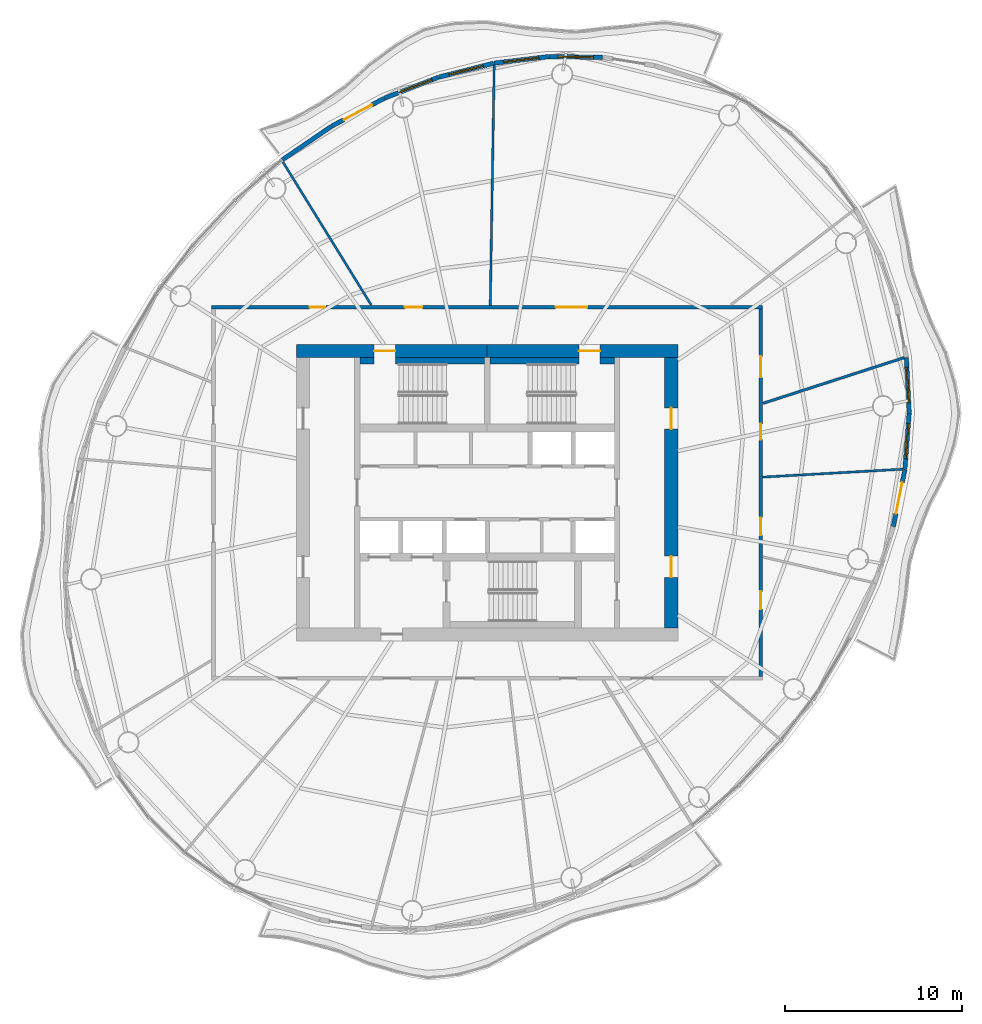
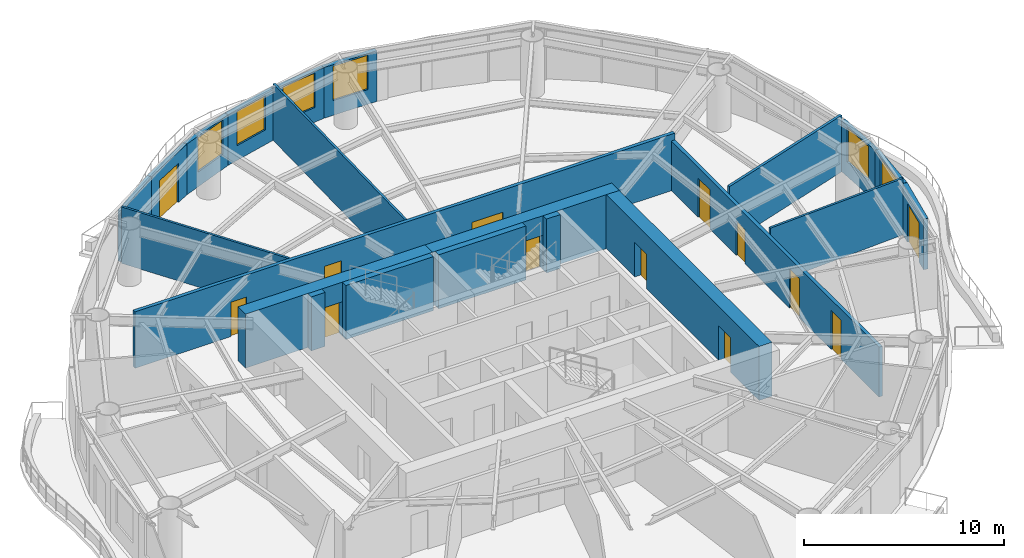
# One storey, part 10 of 14: 22 walls, 13 doors, 6 windows, 19 openings.
"""IFC4 building model written with IfcOpenShell, lengths in metres."""

from ifc_helpers import new_model, si_unit, direction, frame, frame_2d, origin, place, context, subcontext, project, spatial, rectangle, extrude, material, layer, layer_set, type_object, element, fill, save


model = new_model("IFC4")

# Units and contexts
model_context = context("Model", 3, precision=1e-05, world=origin(), true_north=direction((0.0, 1.0)))
body_context = subcontext(model_context, "Body", "Model", "MODEL_VIEW")
ifc_project = project(units=[si_unit("LENGTHUNIT", "METRE"), si_unit("AREAUNIT", "SQUARE_METRE"), si_unit("VOLUMEUNIT", "CUBIC_METRE"), si_unit("PLANEANGLEUNIT", "RADIAN"), si_unit("MASSUNIT", "GRAM", prefix="KILO")], contexts=[model_context])

# Site, building, storey
site_placement = place(None, origin())
site = spatial("IfcSite", under=ifc_project, at=site_placement, CompositionType="ELEMENT")
building_placement = place(site_placement, origin())
building = spatial("IfcBuilding", under=site, at=building_placement, Name="Vermilion Reach Broadcast Tower", CompositionType="ELEMENT")
storey_placement = place(building_placement, frame((0.0, 0.0, 231.699951171875)))
storey = spatial("IfcBuildingStorey", under=building, at=storey_placement, Name="L57", CompositionType="ELEMENT", Elevation=231.699951171875)

# Wall, opening, door
ifc_material_1 = material(Name="Concrete C60", Category="concrete")
ifc_layer_1 = layer(ifc_material_1, 0.75)
ifc_layer_set_1 = layer_set([ifc_layer_1], Name="Core outer wall 750 mm Concrete C60")
wall_type_1 = type_object("IfcWallType", Name="Core outer wall 750 mm Concrete C60", PredefinedType="SHEAR", material=ifc_layer_set_1)
wall_1_placement = place(storey_placement, frame((4.800048828125, 8.02490234375, 0.0), z_axis=(0.0, 0.0, 1.0), x_axis=(-1.0, 0.0, 0.0)))
wall_1 = element("IfcWall", 1, at=wall_1_placement, inside=storey, type_object=wall_type_1, Name="L57 core wall onE", PredefinedType="SHEAR", context=body_context, shape_type="SweptSolid", body=[
    extrude(rectangle(XDim=10.800048828125, YDim=0.75, at=frame_2d((5.39990234375, 0.0))), origin(), (0.0, 0.0, 1.0), 3.300048828125),
])
opening_1_placement = place(wall_1_placement, frame((4.39990234375, 0.0, 0.0)))
opening_1 = element("IfcOpeningElement", 2, at=opening_1_placement, cuts=wall_1, Name="Opening D01", PredefinedType="OPENING", context=body_context, shape_type="SweptSolid", body=[
    extrude(rectangle(XDim=1.199951171875, YDim=2.10009765625, at=frame_2d((0.60009765625, 1.050048828125))), frame((0.0, 0.385009765625, 0.0), z_axis=(0.0, -1.0, 0.0), x_axis=(1.0, 0.0, 0.0)), (0.0, 0.0, 1.0), 0.77001953125),
])
ifc_material_2 = material(Name="Painted steel fire door", Category="steel")
door_type_1 = type_object("IfcDoorType", Name="Stair door 1200 x 2100", OperationType="DOUBLE_DOOR_SINGLE_SWING", PredefinedType="NOTDEFINED", material=ifc_material_2)
door_1_placement = place(opening_1_placement, origin())
door_1 = element("IfcDoor", 3, at=door_1_placement, inside=storey, type_object=door_type_1, Name="L57 stair door ST2", OperationType="DOUBLE_DOOR_SINGLE_SWING", OverallHeight=2.10009765625, OverallWidth=1.199951171875, PredefinedType="NOTDEFINED", context=body_context, shape_type="SweptSolid", body=[
    extrude(rectangle(XDim=1.199951171875, YDim=2.10009765625, at=frame_2d((0.60009765625, 1.050048828125))), frame((0.0, 0.02490234375, 0.0), z_axis=(0.0, -1.0, 0.0), x_axis=(1.0, 0.0, 0.0)), (0.0, 0.0, 1.0), 0.050048828125),
])
fill(opening_1, door_1)

wall_2_placement = place(storey_placement, frame((-6.0, 8.02490234375, 0.0), z_axis=(0.0, 0.0, 1.0), x_axis=(-1.0, 0.0, 0.0)))
wall_2 = element("IfcWall", 4, at=wall_2_placement, inside=storey, type_object=wall_type_1, Name="L57 core wall onW", PredefinedType="SHEAR", context=body_context, shape_type="SweptSolid", body=[
    extrude(rectangle(XDim=10.800048828125, YDim=0.75, at=frame_2d((5.39990234375, 0.0))), origin(), (0.0, 0.0, 1.0), 3.300048828125),
])
opening_2_placement = place(wall_2_placement, frame((5.199951171875, 0.0, 0.0)))
opening_2 = element("IfcOpeningElement", 5, at=opening_2_placement, cuts=wall_2, Name="Opening D01", PredefinedType="OPENING", context=body_context, shape_type="SweptSolid", body=[
    extrude(rectangle(XDim=1.199951171875, YDim=2.10009765625, at=frame_2d((0.60009765625, 1.050048828125))), frame((0.0, 0.385009765625, 0.0), z_axis=(0.0, -1.0, 0.0), x_axis=(1.0, 0.0, 0.0)), (0.0, 0.0, 1.0), 0.77001953125),
])
door_2_placement = place(opening_2_placement, origin())
door_2 = element("IfcDoor", 6, at=door_2_placement, inside=storey, type_object=door_type_1, Name="L57 stair door ST1", OperationType="DOUBLE_DOOR_SINGLE_SWING", OverallHeight=2.10009765625, OverallWidth=1.199951171875, PredefinedType="NOTDEFINED", context=body_context, shape_type="SweptSolid", body=[
    extrude(rectangle(XDim=1.199951171875, YDim=2.10009765625, at=frame_2d((0.60009765625, 1.050048828125))), frame((0.0, 0.02490234375, 0.0), z_axis=(0.0, -1.0, 0.0), x_axis=(1.0, 0.0, 0.0)), (0.0, 0.0, 1.0), 0.050048828125),
])
fill(opening_2, door_2)

# Wall, openings, doors
wall_3_placement = place(storey_placement, frame((4.425048828125, -7.64990234375, 0.0), z_axis=(0.0, 0.0, 1.0), x_axis=(0.0, 1.0, 0.0)))
wall_3 = element("IfcWall", 7, at=wall_3_placement, inside=storey, type_object=wall_type_1, Name="L57 core wall oe", PredefinedType="SHEAR", context=body_context, shape_type="SweptSolid", body=[
    extrude(rectangle(XDim=15.2998046875, YDim=0.75, at=frame_2d((7.64990234375, 0.0))), origin(), (0.0, 0.0, 1.0), 3.300048828125),
])
opening_3_placement = place(wall_3_placement, frame((2.85009765625, 0.0, 0.0)))
opening_3 = element("IfcOpeningElement", 8, at=opening_3_placement, cuts=wall_3, Name="Opening D03", PredefinedType="OPENING", context=body_context, shape_type="SweptSolid", body=[
    extrude(rectangle(XDim=1.199951171875, YDim=2.10009765625, at=frame_2d((0.60009765625, 1.050048828125))), frame((0.0, 0.385009765625, 0.0), z_axis=(0.0, -1.0, 0.0), x_axis=(1.0, 0.0, 0.0)), (0.0, 0.0, 1.0), 0.77001953125),
])
opening_4_placement = place(wall_3_placement, frame((11.25, 0.0, 0.0)))
opening_4 = element("IfcOpeningElement", 9, at=opening_4_placement, cuts=wall_3, Name="Opening D03", PredefinedType="OPENING", context=body_context, shape_type="SweptSolid", body=[
    extrude(rectangle(XDim=1.199951171875, YDim=2.10009765625, at=frame_2d((0.60009765625, 1.050048828125))), frame((0.0, 0.385009765625, 0.0), z_axis=(0.0, -1.0, 0.0), x_axis=(1.0, 0.0, 0.0)), (0.0, 0.0, 1.0), 0.77001953125),
])
ifc_material_3 = material(Name="Painted steel fire door", Category="steel")
door_type_2 = type_object("IfcDoorType", Name="Core lobby door 1200 x 2100", OperationType="DOUBLE_DOOR_SINGLE_SWING", PredefinedType="NOTDEFINED", material=ifc_material_3)
door_3_placement = place(opening_3_placement, origin())
door_3 = element("IfcDoor", 10, at=door_3_placement, inside=storey, type_object=door_type_2, Name="L57 slot door E0", OperationType="DOUBLE_DOOR_SINGLE_SWING", OverallHeight=2.10009765625, OverallWidth=1.199951171875, PredefinedType="NOTDEFINED", context=body_context, shape_type="SweptSolid", body=[
    extrude(rectangle(XDim=1.199951171875, YDim=2.10009765625, at=frame_2d((0.60009765625, 1.050048828125))), frame((0.0, 0.02490234375, 0.0), z_axis=(0.0, -1.0, 0.0), x_axis=(1.0, 0.0, 0.0)), (0.0, 0.0, 1.0), 0.050048828125),
])
fill(opening_3, door_3)
door_4_placement = place(opening_4_placement, origin())
door_4 = element("IfcDoor", 11, at=door_4_placement, inside=storey, type_object=door_type_2, Name="L57 slot door E1", OperationType="DOUBLE_DOOR_SINGLE_SWING", OverallHeight=2.10009765625, OverallWidth=1.199951171875, PredefinedType="NOTDEFINED", context=body_context, shape_type="SweptSolid", body=[
    extrude(rectangle(XDim=1.199951171875, YDim=2.10009765625, at=frame_2d((0.60009765625, 1.050048828125))), frame((0.0, 0.02490234375, 0.0), z_axis=(0.0, -1.0, 0.0), x_axis=(1.0, 0.0, 0.0)), (0.0, 0.0, 1.0), 0.050048828125),
])
fill(opening_4, door_4)

# Walls
ifc_material_4 = material(Name="Concrete C60", Category="concrete")
ifc_layer_2 = layer(ifc_material_4, 0.35009765625)
ifc_layer_set_2 = layer_set([ifc_layer_2], Name="Core stair wall 350 mm Concrete C60")
wall_type_2 = type_object("IfcWallType", Name="Core stair wall 350 mm Concrete C60", PredefinedType="SHEAR", material=ifc_layer_set_2)
wall_4_placement = place(storey_placement, frame((-13.199951171875, 7.47509765625, 0.0), z_axis=(0.0, 0.0, 1.0), x_axis=(1.0, 0.0, 0.0)))
element("IfcWall", 12, at=wall_4_placement, inside=storey, type_object=wall_type_2, Name="L57 core wall l1a", PredefinedType="SHEAR", context=body_context, shape_type="SweptSolid", body=[
    extrude(rectangle(XDim=0.800048828125, YDim=0.35009765625, at=frame_2d((0.39990234375, 0.0))), origin(), (0.0, 0.0, 1.0), 3.300048828125),
])
for number, where, z_axis, x_axis, name in (
    (13, (-11.199951171875, 7.47509765625, 0.0), (0.0, 0.0, 1.0), (1.0, 0.0, 0.0), "L57 core wall l1b"),
    (14, (-5.85009765625, 7.47509765625, 0.0), (0.0, 0.0, 1.0), (1.0, 0.0, 0.0), "L57 core wall l2a"),
):
    element("IfcWall", number, at=place(storey_placement, frame(where, z_axis=z_axis, x_axis=x_axis)), inside=storey, type_object=wall_type_2, Name=name, PredefinedType="SHEAR", context=body_context, shape_type="SweptSolid", body=[
        extrude(rectangle(XDim=5.050048828125, YDim=0.35009765625, at=frame_2d((2.52490234375, 0.0))), origin(), (0.0, 0.0, 1.0), 3.300048828125),
    ])
wall_5_placement = place(storey_placement, frame((0.39990234375, 7.47509765625, 0.0), z_axis=(0.0, 0.0, 1.0), x_axis=(1.0, 0.0, 0.0)))
element("IfcWall", 15, at=wall_5_placement, inside=storey, type_object=wall_type_2, Name="L57 core wall l2b", PredefinedType="SHEAR", context=body_context, shape_type="SweptSolid", body=[
    extrude(rectangle(XDim=0.800048828125, YDim=0.35009765625, at=frame_2d((0.39990234375, 0.0))), origin(), (0.0, 0.0, 1.0), 3.300048828125),
])

# Wall, openings, doors
ifc_material_5 = material(Name="Fire-rated gypsum board partition")
ifc_layer_3 = layer(ifc_material_5, 0.199951171875)
ifc_layer_set_3 = layer_set([ifc_layer_3], Name="Corridor wall 200 fire-rated")
wall_type_3 = type_object("IfcWallType", Name="Corridor wall 200 fire-rated", PredefinedType="PARTITIONING", material=ifc_layer_set_3)
wall_6_placement = place(storey_placement, frame((-21.60009765625, 10.5, 0.0), z_axis=(0.0, 0.0, 1.0), x_axis=(1.0, 0.0, 0.0)))
wall_6 = element("IfcWall", 16, at=wall_6_placement, inside=storey, type_object=wall_type_3, Name="Corridor wall 57.N", PredefinedType="PARTITIONING", context=body_context, shape_type="SweptSolid", body=[
    extrude(rectangle(XDim=31.2001953125, YDim=0.199951171875, at=frame_2d((15.60009765625, 0.0))), origin(), (0.0, 0.0, 1.0), 3.449951171875),
])
opening_5_placement = place(wall_6_placement, frame((10.934326171875, 0.0, 0.0)))
opening_5 = element("IfcOpeningElement", 17, at=opening_5_placement, cuts=wall_6, Name="Opening D23", PredefinedType="OPENING", context=body_context, shape_type="SweptSolid", body=[
    extrude(rectangle(XDim=1.0, YDim=2.39990234375, at=frame_2d((0.5, 1.199951171875))), frame((0.0, 0.10986328125, 0.0), z_axis=(0.0, -1.0, 0.0), x_axis=(1.0, 0.0, 0.0)), (0.0, 0.0, 1.0), 0.219970703125),
])
opening_6_placement = place(wall_6_placement, frame((5.5419921875, 0.0, 0.0)))
opening_6 = element("IfcOpeningElement", 18, at=opening_6_placement, cuts=wall_6, Name="Opening D22", PredefinedType="OPENING", context=body_context, shape_type="SweptSolid", body=[
    extrude(rectangle(XDim=0.89990234375, YDim=2.10009765625, at=frame_2d((0.449951171875, 1.050048828125))), frame((0.0, 0.10986328125, 0.0), z_axis=(0.0, -1.0, 0.0), x_axis=(1.0, 0.0, 0.0)), (0.0, 0.0, 1.0), 0.219970703125),
])
opening_7_placement = place(wall_6_placement, frame((19.472412109375, 0.0, 0.0)))
opening_7 = element("IfcOpeningElement", 19, at=opening_7_placement, cuts=wall_6, Name="Opening D21", PredefinedType="OPENING", context=body_context, shape_type="SweptSolid", body=[
    extrude(rectangle(XDim=1.800048828125, YDim=2.10009765625, at=frame_2d((0.89990234375, 1.050048828125))), frame((0.0, 0.10986328125, 0.0), z_axis=(0.0, -1.0, 0.0), x_axis=(1.0, 0.0, 0.0)), (0.0, 0.0, 1.0), 0.219970703125),
])
ifc_material_6 = material(Name="Timber door leaf", Category="wood")
door_type_3 = type_object("IfcDoorType", Name="Door pair 1800x2100", OperationType="NOTDEFINED", PredefinedType="DOOR", material=ifc_material_6)
door_5_placement = place(opening_7_placement, origin())
door_5 = element("IfcDoor", 20, at=door_5_placement, inside=storey, type_object=door_type_3, Name="Door 57.14", OperationType="DOUBLE_DOOR_SINGLE_SWING", OverallHeight=2.10009765625, OverallWidth=1.800048828125, PredefinedType="DOOR", context=body_context, shape_type="SweptSolid", body=[
    extrude(rectangle(XDim=1.800048828125, YDim=2.10009765625, at=frame_2d((0.89990234375, 1.050048828125))), frame((0.0, 0.02490234375, 0.0), z_axis=(0.0, -1.0, 0.0), x_axis=(1.0, 0.0, 0.0)), (0.0, 0.0, 1.0), 0.050048828125),
])
fill(opening_7, door_5)
ifc_material_7 = material(Name="Veneered timber door leaf", Category="wood")
door_type_4 = type_object("IfcDoorType", Name="Door single 1000x2400", OperationType="NOTDEFINED", PredefinedType="DOOR", material=ifc_material_7)
door_6_placement = place(opening_5_placement, origin())
door_6 = element("IfcDoor", 21, at=door_6_placement, inside=storey, type_object=door_type_4, Name="Door 57.01", OperationType="SINGLE_SWING_LEFT", OverallHeight=2.39990234375, OverallWidth=1.0, PredefinedType="DOOR", context=body_context, shape_type="SweptSolid", body=[
    extrude(rectangle(XDim=1.0, YDim=2.39990234375, at=frame_2d((0.5, 1.199951171875))), frame((0.0, 0.02490234375, 0.0), z_axis=(0.0, -1.0, 0.0), x_axis=(1.0, 0.0, 0.0)), (0.0, 0.0, 1.0), 0.050048828125),
])
fill(opening_5, door_6)
ifc_material_8 = material(Name="Timber door leaf", Category="wood")
door_type_5 = type_object("IfcDoorType", Name="Door single 900x2100", OperationType="NOTDEFINED", PredefinedType="DOOR", material=ifc_material_8)
door_7_placement = place(opening_6_placement, origin())
door_7 = element("IfcDoor", 22, at=door_7_placement, inside=storey, type_object=door_type_5, Name="Door 57.02", OperationType="SINGLE_SWING_RIGHT", OverallHeight=2.10009765625, OverallWidth=0.89990234375, PredefinedType="DOOR", context=body_context, shape_type="SweptSolid", body=[
    extrude(rectangle(XDim=0.89990234375, YDim=2.10009765625, at=frame_2d((0.449951171875, 1.050048828125))), frame((0.0, 0.02490234375, 0.0), z_axis=(0.0, -1.0, 0.0), x_axis=(1.0, 0.0, 0.0)), (0.0, 0.0, 1.0), 0.050048828125),
])
fill(opening_6, door_7)

# Walls
ifc_material_9 = material(Name="Fire-rated plasterboard on steel stud", Category="steel")
ifc_layer_4 = layer(ifc_material_9, 0.125)
ifc_layer_set_4 = layer_set([ifc_layer_4], Name="Partition 125 fire-rated stud")
wall_type_4 = type_object("IfcWallType", Name="Partition 125 fire-rated stud", PredefinedType="PARTITIONING", material=ifc_layer_set_4)
wall_7_placement = place(storey_placement, frame((-5.600830078125, 24.20166015625, 0.0), z_axis=(0.0, 0.0, 1.0), x_axis=(-0.016494488694, -0.999863956667, 0.0)))
element("IfcWall", 23, at=wall_7_placement, inside=storey, type_object=wall_type_4, Name="Partition 57.01", PredefinedType="PARTITIONING", context=body_context, shape_type="SweptSolid", body=[
    extrude(rectangle(XDim=13.6025390625, YDim=0.125, at=frame_2d((6.80126953125, 0.0))), origin(), (0.0, 0.0, 1.0), 3.449951171875),
])
wall_8_placement = place(storey_placement, frame((-17.564208984375, 18.72216796875, 0.0), z_axis=(0.0, 0.0, 1.0), x_axis=(0.52550928058, -0.850787867817, 0.0)))
element("IfcWall", 24, at=wall_8_placement, inside=storey, type_object=wall_type_4, Name="Partition 57.02", PredefinedType="PARTITIONING", context=body_context, shape_type="SweptSolid", body=[
    extrude(rectangle(XDim=9.508056640625, YDim=0.125, at=frame_2d((4.75390625, 0.0))), origin(), (0.0, 0.0, 1.0), 3.449951171875),
])
wall_9_placement = place(storey_placement, frame((17.532470703125, 1.330078125, 0.0), z_axis=(0.0, 0.0, 1.0), x_axis=(-0.99840760058, -0.056411551161, 0.0)))
element("IfcWall", 25, at=wall_9_placement, inside=storey, type_object=wall_type_4, Name="Partition 57.12", PredefinedType="PARTITIONING", context=body_context, shape_type="SweptSolid", body=[
    extrude(rectangle(XDim=7.941650390625, YDim=0.125, at=frame_2d((3.970703125, 0.0))), origin(), (0.0, 0.0, 1.0), 3.449951171875),
])
ifc_material_10 = material(Name="Lightweight concrete block, plastered", Category="concrete")
ifc_layer_5 = layer(ifc_material_10, 0.14990234375)
ifc_layer_set_5 = layer_set([ifc_layer_5], Name="Partition 150 lightweight block")
wall_type_5 = type_object("IfcWallType", Name="Partition 150 lightweight block", PredefinedType="PARTITIONING", material=ifc_layer_set_5)
wall_10_placement = place(storey_placement, frame((17.615234375, 7.648193359375, 0.0), z_axis=(0.0, 0.0, 1.0), x_axis=(-0.951351351351, -0.308108108108, 0.0)))
element("IfcWall", 26, at=wall_10_placement, inside=storey, type_object=wall_type_5, Name="Partition 57.13", PredefinedType="PARTITIONING", context=body_context, shape_type="SweptSolid", body=[
    extrude(rectangle(XDim=8.40087890625, YDim=0.14990234375, at=frame_2d((4.200439453125, 0.0))), origin(), (0.0, 0.0, 1.0), 3.449951171875),
])

# Wall, opening, window
ifc_material_11 = material(Name="Terracotta rainscreen cladding", Category="masonry")
ifc_layer_6 = layer(ifc_material_11, 0.25)
ifc_layer_set_6 = layer_set([ifc_layer_6], Name="Terracotta rainscreen wall 250")
wall_type_6 = type_object("IfcWallType", Name="Terracotta rainscreen wall 250", PredefinedType="SOLIDWALL", material=ifc_layer_set_6)
wall_11_placement = place(storey_placement, frame((0.53564453125, 24.652587890625, 0.0), z_axis=(0.0, 0.0, 1.0), x_axis=(-0.999880339465, 0.015469542722, 0.0)))
wall_11 = element("IfcWall", 27, at=wall_11_placement, inside=storey, type_object=wall_type_6, Name="External wall L57 04", PredefinedType="SOLIDWALL", context=body_context, shape_type="SweptSolid", body=[
    extrude(rectangle(XDim=3.030029296875, YDim=0.25, at=frame_2d((1.51513671875, 0.0))), origin(), (0.0, 0.0, 1.0), 3.10009765625),
])
opening_8_placement = place(wall_11_placement, frame((0.51513671875, 0.0, 0.89990234375)))
opening_8 = element("IfcOpeningElement", 28, at=opening_8_placement, cuts=wall_11, Name="Opening W03", PredefinedType="OPENING", context=body_context, shape_type="SweptSolid", body=[
    extrude(rectangle(XDim=2.0, YDim=2.10009765625, at=frame_2d((1.0, 1.050048828125))), frame((0.0, 0.135009765625, 0.0), z_axis=(0.0, -1.0, 0.0), x_axis=(1.0, 0.0, 0.0)), (0.0, 0.0, 1.0), 0.27001953125),
])
ifc_material_12 = material(Name="Low-e laminated clear glass in aluminium frame", Category="aluminium")
window_type = type_object("IfcWindowType", Name="Punched window 2000 x 2100 sill 900", PartitioningType="SINGLE_PANEL", PredefinedType="WINDOW", material=ifc_material_12)
window_1_placement = place(opening_8_placement, origin())
window_1 = element("IfcWindow", 29, at=window_1_placement, inside=storey, type_object=window_type, Name="Window L57 04", OverallHeight=2.10009765625, OverallWidth=2.0, PartitioningType="SINGLE_PANEL", PredefinedType="WINDOW", context=body_context, shape_type="SweptSolid", body=[
    extrude(rectangle(XDim=2.0, YDim=2.10009765625, at=frame_2d((1.0, 1.050048828125))), frame((0.0, 0.030029296875, 0.0), z_axis=(0.0, -1.0, 0.0), x_axis=(1.0, 0.0, 0.0)), (0.0, 0.0, 1.0), 0.06005859375),
])
fill(opening_8, window_1)

wall_12_placement = place(storey_placement, frame((-2.51904296875, 24.6982421875, 0.0), z_axis=(0.0, 0.0, 1.0), x_axis=(-0.992831895077, -0.119519153773, 0.0)))
wall_12 = element("IfcWall", 30, at=wall_12_placement, inside=storey, type_object=wall_type_6, Name="External wall L57 05", PredefinedType="SOLIDWALL", context=body_context, shape_type="SweptSolid", body=[
    extrude(rectangle(XDim=3.114990234375, YDim=0.25, at=frame_2d((1.5576171875, 0.0))), origin(), (0.0, 0.0, 1.0), 3.10009765625),
])
opening_9_placement = place(wall_12_placement, frame((0.5576171875, 0.0, 0.89990234375)))
opening_9 = element("IfcOpeningElement", 31, at=opening_9_placement, cuts=wall_12, Name="Opening W03", PredefinedType="OPENING", context=body_context, shape_type="SweptSolid", body=[
    extrude(rectangle(XDim=2.0, YDim=2.10009765625, at=frame_2d((1.0, 1.050048828125))), frame((0.0, 0.135009765625, 0.0), z_axis=(0.0, -1.0, 0.0), x_axis=(1.0, 0.0, 0.0)), (0.0, 0.0, 1.0), 0.27001953125),
])
window_2_placement = place(opening_9_placement, origin())
window_2 = element("IfcWindow", 32, at=window_2_placement, inside=storey, type_object=window_type, Name="Window L57 05", OverallHeight=2.10009765625, OverallWidth=2.0, PartitioningType="SINGLE_PANEL", PredefinedType="WINDOW", context=body_context, shape_type="SweptSolid", body=[
    extrude(rectangle(XDim=2.0, YDim=2.10009765625, at=frame_2d((1.0, 1.050048828125))), frame((0.0, 0.030029296875, 0.0), z_axis=(0.0, -1.0, 0.0), x_axis=(1.0, 0.0, 0.0)), (0.0, 0.0, 1.0), 0.06005859375),
])
fill(opening_9, window_2)

wall_13_placement = place(storey_placement, frame((-5.635498046875, 24.321533203125, 0.0), z_axis=(0.0, 0.0, 1.0), x_axis=(-0.969361212149, -0.245639655554, 0.0)))
wall_13 = element("IfcWall", 33, at=wall_13_placement, inside=storey, type_object=wall_type_6, Name="External wall L57 06", PredefinedType="SOLIDWALL", context=body_context, shape_type="SweptSolid", body=[
    extrude(rectangle(XDim=3.200439453125, YDim=0.25, at=frame_2d((1.60009765625, 0.0))), origin(), (0.0, 0.0, 1.0), 3.10009765625),
])
opening_10_placement = place(wall_13_placement, frame((0.600341796875, 0.0, 0.89990234375)))
opening_10 = element("IfcOpeningElement", 34, at=opening_10_placement, cuts=wall_13, Name="Opening W03", PredefinedType="OPENING", context=body_context, shape_type="SweptSolid", body=[
    extrude(rectangle(XDim=2.0, YDim=2.10009765625, at=frame_2d((1.0, 1.050048828125))), frame((0.0, 0.135009765625, 0.0), z_axis=(0.0, -1.0, 0.0), x_axis=(1.0, 0.0, 0.0)), (0.0, 0.0, 1.0), 0.27001953125),
])
window_3_placement = place(opening_10_placement, origin())
window_3 = element("IfcWindow", 35, at=window_3_placement, inside=storey, type_object=window_type, Name="Window L57 06", OverallHeight=2.10009765625, OverallWidth=2.0, PartitioningType="SINGLE_PANEL", PredefinedType="WINDOW", context=body_context, shape_type="SweptSolid", body=[
    extrude(rectangle(XDim=2.0, YDim=2.10009765625, at=frame_2d((1.0, 1.050048828125))), frame((0.0, 0.030029296875, 0.0), z_axis=(0.0, -1.0, 0.0), x_axis=(1.0, 0.0, 0.0)), (0.0, 0.0, 1.0), 0.06005859375),
])
fill(opening_10, window_3)

wall_14_placement = place(storey_placement, frame((-8.760009765625, 23.5283203125, 0.0), z_axis=(0.0, 0.0, 1.0), x_axis=(-0.932220972819, -0.361889565803, 0.0)))
wall_14 = element("IfcWall", 36, at=wall_14_placement, inside=storey, type_object=wall_type_6, Name="External wall L57 07", PredefinedType="SOLIDWALL", context=body_context, shape_type="SweptSolid", body=[
    extrude(rectangle(XDim=3.28076171875, YDim=0.25, at=frame_2d((1.640380859375, 0.0))), origin(), (0.0, 0.0, 1.0), 3.10009765625),
])
opening_11_placement = place(wall_14_placement, frame((0.389892578125, 0.0, 0.89990234375)))
opening_11 = element("IfcOpeningElement", 37, at=opening_11_placement, cuts=wall_14, Name="Opening W03", PredefinedType="OPENING", context=body_context, shape_type="SweptSolid", body=[
    extrude(rectangle(XDim=2.0, YDim=2.10009765625, at=frame_2d((1.0, 1.050048828125))), frame((0.0, 0.135009765625, 0.0), z_axis=(0.0, -1.0, 0.0), x_axis=(1.0, 0.0, 0.0)), (0.0, 0.0, 1.0), 0.27001953125),
])
window_4_placement = place(opening_11_placement, origin())
window_4 = element("IfcWindow", 38, at=window_4_placement, inside=storey, type_object=window_type, Name="Window L57 07", OverallHeight=2.10009765625, OverallWidth=2.0, PartitioningType="SINGLE_PANEL", PredefinedType="WINDOW", context=body_context, shape_type="SweptSolid", body=[
    extrude(rectangle(XDim=2.0, YDim=2.10009765625, at=frame_2d((1.0, 1.050048828125))), frame((0.0, 0.030029296875, 0.0), z_axis=(0.0, -1.0, 0.0), x_axis=(1.0, 0.0, 0.0)), (0.0, 0.0, 1.0), 0.06005859375),
])
fill(opening_11, window_4)

# Wall, opening, door
wall_15_placement = place(storey_placement, frame((-11.8388671875, 22.33154296875, 0.0), z_axis=(0.0, 0.0, 1.0), x_axis=(-0.883644332984, -0.46815883286, 0.0)))
wall_15 = element("IfcWall", 39, at=wall_15_placement, inside=storey, type_object=wall_type_6, Name="External wall L57 08", PredefinedType="SOLIDWALL", context=body_context, shape_type="SweptSolid", body=[
    extrude(rectangle(XDim=3.35107421875, YDim=0.25, at=frame_2d((1.675537109375, 0.0))), origin(), (0.0, 0.0, 1.0), 3.10009765625),
])
opening_12_placement = place(wall_15_placement, frame((0.77587890625, 0.0, 0.0)))
opening_12 = element("IfcOpeningElement", 40, at=opening_12_placement, cuts=wall_15, Name="Opening D70", PredefinedType="OPENING", context=body_context, shape_type="SweptSolid", body=[
    extrude(rectangle(XDim=1.800048828125, YDim=2.39990234375, at=frame_2d((0.89990234375, 1.199951171875))), frame((0.0, 0.135009765625, 0.0), z_axis=(0.0, -1.0, 0.0), x_axis=(1.0, 0.0, 0.0)), (0.0, 0.0, 1.0), 0.27001953125),
])
ifc_material_13 = material(Name="Low-e laminated clear glass in aluminium frame", Category="aluminium")
door_type_6 = type_object("IfcDoorType", Name="Balcony sliding door 1800 x 2400", OperationType="DOUBLE_DOOR_SLIDING", PredefinedType="DOOR", material=ifc_material_13)
door_8_placement = place(opening_12_placement, origin())
door_8 = element("IfcDoor", 41, at=door_8_placement, inside=storey, type_object=door_type_6, Name="Balcony door L57 run 02", OperationType="DOUBLE_DOOR_SLIDING", OverallHeight=2.39990234375, OverallWidth=1.800048828125, PredefinedType="DOOR", context=body_context, shape_type="SweptSolid", body=[
    extrude(rectangle(XDim=1.800048828125, YDim=2.39990234375, at=frame_2d((0.89990234375, 1.199951171875))), frame((0.0, 0.02490234375, 0.0), z_axis=(0.0, -1.0, 0.0), x_axis=(1.0, 0.0, 0.0)), (0.0, 0.0, 1.0), 0.050048828125),
])
fill(opening_12, door_8)

# Wall
wall_16_placement = place(storey_placement, frame((-14.819091796875, 20.751220703125, 0.0), z_axis=(0.0, 0.0, 1.0), x_axis=(-0.82535711283, -0.564611048689, 0.0)))
element("IfcWall", 42, at=wall_16_placement, inside=storey, type_object=wall_type_6, Name="External wall L57 09", PredefinedType="SOLIDWALL", context=body_context, shape_type="SweptSolid", body=[
    extrude(rectangle(XDim=3.36328125, YDim=0.25, at=frame_2d((1.681640625, 0.0))), origin(), (0.0, 0.0, 1.0), 3.10009765625),
])

# Wall, opening, door
wall_17_placement = place(storey_placement, frame((17.006591796875, -1.914794921875, 0.0), z_axis=(0.0, 0.0, 1.0), x_axis=(0.197275160693, 0.980348158041, 0.0)))
wall_17 = element("IfcWall", 43, at=wall_17_placement, inside=storey, type_object=wall_type_6, Name="External wall L57 40", PredefinedType="SOLIDWALL", context=body_context, shape_type="SweptSolid", body=[
    extrude(rectangle(XDim=3.28076171875, YDim=0.25, at=frame_2d((1.640380859375, 0.0))), origin(), (0.0, 0.0, 1.0), 3.10009765625),
])
opening_13_placement = place(wall_17_placement, frame((0.739990234375, 0.0, 0.0)))
opening_13 = element("IfcOpeningElement", 44, at=opening_13_placement, cuts=wall_17, Name="Opening D70", PredefinedType="OPENING", context=body_context, shape_type="SweptSolid", body=[
    extrude(rectangle(XDim=1.800048828125, YDim=2.39990234375, at=frame_2d((0.89990234375, 1.199951171875))), frame((0.0, 0.135009765625, 0.0), z_axis=(0.0, -1.0, 0.0), x_axis=(1.0, 0.0, 0.0)), (0.0, 0.0, 1.0), 0.27001953125),
])
door_9_placement = place(opening_13_placement, origin())
door_9 = element("IfcDoor", 45, at=door_9_placement, inside=storey, type_object=door_type_6, Name="Balcony door L57 run 10", OperationType="DOUBLE_DOOR_SLIDING", OverallHeight=2.39990234375, OverallWidth=1.800048828125, PredefinedType="DOOR", context=body_context, shape_type="SweptSolid", body=[
    extrude(rectangle(XDim=1.800048828125, YDim=2.39990234375, at=frame_2d((0.89990234375, 1.199951171875))), frame((0.0, 0.02490234375, 0.0), z_axis=(0.0, -1.0, 0.0), x_axis=(1.0, 0.0, 0.0)), (0.0, 0.0, 1.0), 0.050048828125),
])
fill(opening_13, door_9)

# Wall, opening, window
wall_18_placement = place(storey_placement, frame((17.656982421875, 1.324462890625, 0.0), z_axis=(0.0, 0.0, 1.0), x_axis=(0.076358161895, 0.997080453681, 0.0)))
wall_18 = element("IfcWall", 46, at=wall_18_placement, inside=storey, type_object=wall_type_6, Name="External wall L57 41", PredefinedType="SOLIDWALL", context=body_context, shape_type="SweptSolid", body=[
    extrude(rectangle(XDim=3.200439453125, YDim=0.25, at=frame_2d((1.60009765625, 0.0))), origin(), (0.0, 0.0, 1.0), 3.10009765625),
])
opening_14_placement = place(wall_18_placement, frame((0.600341796875, 0.0, 0.89990234375)))
opening_14 = element("IfcOpeningElement", 47, at=opening_14_placement, cuts=wall_18, Name="Opening W03", PredefinedType="OPENING", context=body_context, shape_type="SweptSolid", body=[
    extrude(rectangle(XDim=2.0, YDim=2.10009765625, at=frame_2d((1.0, 1.050048828125))), frame((0.0, 0.135009765625, 0.0), z_axis=(0.0, -1.0, 0.0), x_axis=(1.0, 0.0, 0.0)), (0.0, 0.0, 1.0), 0.27001953125),
])
window_5_placement = place(opening_14_placement, origin())
window_5 = element("IfcWindow", 48, at=window_5_placement, inside=storey, type_object=window_type, Name="Window L57 41", OverallHeight=2.10009765625, OverallWidth=2.0, PartitioningType="SINGLE_PANEL", PredefinedType="WINDOW", context=body_context, shape_type="SweptSolid", body=[
    extrude(rectangle(XDim=2.0, YDim=2.10009765625, at=frame_2d((1.0, 1.050048828125))), frame((0.0, 0.030029296875, 0.0), z_axis=(0.0, -1.0, 0.0), x_axis=(1.0, 0.0, 0.0)), (0.0, 0.0, 1.0), 0.06005859375),
])
fill(opening_14, window_5)

wall_19_placement = place(storey_placement, frame((17.901611328125, 4.539794921875, 0.0), z_axis=(0.0, 0.0, 1.0), x_axis=(-0.051884190685, 0.99865310832, 0.0)))
wall_19 = element("IfcWall", 49, at=wall_19_placement, inside=storey, type_object=wall_type_6, Name="External wall L57 42", PredefinedType="SOLIDWALL", context=body_context, shape_type="SweptSolid", body=[
    extrude(rectangle(XDim=3.114990234375, YDim=0.25, at=frame_2d((1.5576171875, 0.0))), origin(), (0.0, 0.0, 1.0), 3.10009765625),
])
opening_15_placement = place(wall_19_placement, frame((0.5576171875, 0.0, 0.89990234375)))
opening_15 = element("IfcOpeningElement", 50, at=opening_15_placement, cuts=wall_19, Name="Opening W03", PredefinedType="OPENING", context=body_context, shape_type="SweptSolid", body=[
    extrude(rectangle(XDim=2.0, YDim=2.10009765625, at=frame_2d((1.0, 1.050048828125))), frame((0.0, 0.135009765625, 0.0), z_axis=(0.0, -1.0, 0.0), x_axis=(1.0, 0.0, 0.0)), (0.0, 0.0, 1.0), 0.27001953125),
])
window_6_placement = place(opening_15_placement, origin())
window_6 = element("IfcWindow", 51, at=window_6_placement, inside=storey, type_object=window_type, Name="Window L57 42", OverallHeight=2.10009765625, OverallWidth=2.0, PartitioningType="SINGLE_PANEL", PredefinedType="WINDOW", context=body_context, shape_type="SweptSolid", body=[
    extrude(rectangle(XDim=2.0, YDim=2.10009765625, at=frame_2d((1.0, 1.050048828125))), frame((0.0, 0.030029296875, 0.0), z_axis=(0.0, -1.0, 0.0), x_axis=(1.0, 0.0, 0.0)), (0.0, 0.0, 1.0), 0.06005859375),
])
fill(opening_15, window_6)

# Wall, openings, doors
ifc_material_14 = material(Name="Fire-rated gypsum board partition")
ifc_layer_7 = layer(ifc_material_14, 0.199951171875)
ifc_layer_set_7 = layer_set([ifc_layer_7], Name="Under girder: Corridor wall 200 fire-rated")
wall_type_7 = type_object("IfcWallType", Name="Under girder: Corridor wall 200 fire-rated", PredefinedType="PARTITIONING", material=ifc_layer_set_7)
wall_20_placement = place(storey_placement, frame((9.5, 10.39990234375, 0.0), z_axis=(0.0, 0.0, 1.0), x_axis=(0.0, -1.0, 0.0)))
wall_20 = element("IfcWall", 52, at=wall_20_placement, inside=storey, type_object=wall_type_7, Name="Corridor wall 57.E", PredefinedType="PARTITIONING", context=body_context, shape_type="SweptSolid", body=[
    extrude(rectangle(XDim=20.7998046875, YDim=0.199951171875, at=frame_2d((10.39990234375, 0.0))), origin(), (0.0, 0.0, 1.0), 3.050048828125),
])
opening_16_placement = place(wall_20_placement, frame((15.988525390625, 0.0, 0.0)))
opening_16 = element("IfcOpeningElement", 53, at=opening_16_placement, cuts=wall_20, Name="Opening D23", PredefinedType="OPENING", context=body_context, shape_type="SweptSolid", body=[
    extrude(rectangle(XDim=1.0, YDim=2.39990234375, at=frame_2d((0.5, 1.199951171875))), frame((0.0, 0.10986328125, 0.0), z_axis=(0.0, -1.0, 0.0), x_axis=(1.0, 0.0, 0.0)), (0.0, 0.0, 1.0), 0.219970703125),
])
opening_17_placement = place(wall_20_placement, frame((11.81396484375, 0.0, 0.0)))
opening_17 = element("IfcOpeningElement", 54, at=opening_17_placement, cuts=wall_20, Name="Opening D23", PredefinedType="OPENING", context=body_context, shape_type="SweptSolid", body=[
    extrude(rectangle(XDim=1.0, YDim=2.39990234375, at=frame_2d((0.5, 1.199951171875))), frame((0.0, 0.10986328125, 0.0), z_axis=(0.0, -1.0, 0.0), x_axis=(1.0, 0.0, 0.0)), (0.0, 0.0, 1.0), 0.219970703125),
])
opening_18_placement = place(wall_20_placement, frame((6.498779296875, 0.0, 0.0)))
opening_18 = element("IfcOpeningElement", 55, at=opening_18_placement, cuts=wall_20, Name="Opening D22", PredefinedType="OPENING", context=body_context, shape_type="SweptSolid", body=[
    extrude(rectangle(XDim=0.89990234375, YDim=2.10009765625, at=frame_2d((0.449951171875, 1.050048828125))), frame((0.0, 0.10986328125, 0.0), z_axis=(0.0, -1.0, 0.0), x_axis=(1.0, 0.0, 0.0)), (0.0, 0.0, 1.0), 0.219970703125),
])
opening_19_placement = place(wall_20_placement, frame((2.67333984375, 0.0, 0.0)))
opening_19 = element("IfcOpeningElement", 56, at=opening_19_placement, cuts=wall_20, Name="Opening D29", PredefinedType="OPENING", context=body_context, shape_type="SweptSolid", body=[
    extrude(rectangle(XDim=1.199951171875, YDim=2.39990234375, at=frame_2d((0.60009765625, 1.199951171875))), frame((0.0, 0.10986328125, 0.0), z_axis=(0.0, -1.0, 0.0), x_axis=(1.0, 0.0, 0.0)), (0.0, 0.0, 1.0), 0.219970703125),
])
door_10_placement = place(opening_16_placement, origin())
door_10 = element("IfcDoor", 57, at=door_10_placement, inside=storey, type_object=door_type_4, Name="Door 57.10", OperationType="SINGLE_SWING_LEFT", OverallHeight=2.39990234375, OverallWidth=1.0, PredefinedType="DOOR", context=body_context, shape_type="SweptSolid", body=[
    extrude(rectangle(XDim=1.0, YDim=2.39990234375, at=frame_2d((0.5, 1.199951171875))), frame((0.0, 0.02490234375, 0.0), z_axis=(0.0, -1.0, 0.0), x_axis=(1.0, 0.0, 0.0)), (0.0, 0.0, 1.0), 0.050048828125),
])
fill(opening_16, door_10)
door_11_placement = place(opening_17_placement, origin())
door_11 = element("IfcDoor", 58, at=door_11_placement, inside=storey, type_object=door_type_4, Name="Door 57.11", OperationType="SINGLE_SWING_RIGHT", OverallHeight=2.39990234375, OverallWidth=1.0, PredefinedType="DOOR", context=body_context, shape_type="SweptSolid", body=[
    extrude(rectangle(XDim=1.0, YDim=2.39990234375, at=frame_2d((0.5, 1.199951171875))), frame((0.0, 0.02490234375, 0.0), z_axis=(0.0, -1.0, 0.0), x_axis=(1.0, 0.0, 0.0)), (0.0, 0.0, 1.0), 0.050048828125),
])
fill(opening_17, door_11)
ifc_material_15 = material(Name="Veneered timber door leaf", Category="wood")
door_type_7 = type_object("IfcDoorType", Name="Door single 1200x2400", OperationType="NOTDEFINED", PredefinedType="DOOR", material=ifc_material_15)
door_12_placement = place(opening_19_placement, origin())
door_12 = element("IfcDoor", 59, at=door_12_placement, inside=storey, type_object=door_type_7, Name="Door 57.13", OperationType="SINGLE_SWING_RIGHT", OverallHeight=2.39990234375, OverallWidth=1.199951171875, PredefinedType="DOOR", context=body_context, shape_type="SweptSolid", body=[
    extrude(rectangle(XDim=1.199951171875, YDim=2.39990234375, at=frame_2d((0.60009765625, 1.199951171875))), frame((0.0, 0.02490234375, 0.0), z_axis=(0.0, -1.0, 0.0), x_axis=(1.0, 0.0, 0.0)), (0.0, 0.0, 1.0), 0.050048828125),
])
fill(opening_19, door_12)
door_13_placement = place(opening_18_placement, origin())
door_13 = element("IfcDoor", 60, at=door_13_placement, inside=storey, type_object=door_type_5, Name="Door 57.12", OperationType="SINGLE_SWING_LEFT", OverallHeight=2.10009765625, OverallWidth=0.89990234375, PredefinedType="DOOR", context=body_context, shape_type="SweptSolid", body=[
    extrude(rectangle(XDim=0.89990234375, YDim=2.10009765625, at=frame_2d((0.449951171875, 1.050048828125))), frame((0.0, 0.02490234375, 0.0), z_axis=(0.0, -1.0, 0.0), x_axis=(1.0, 0.0, 0.0)), (0.0, 0.0, 1.0), 0.050048828125),
])
fill(opening_18, door_13)

save(model, "model.ifc")
